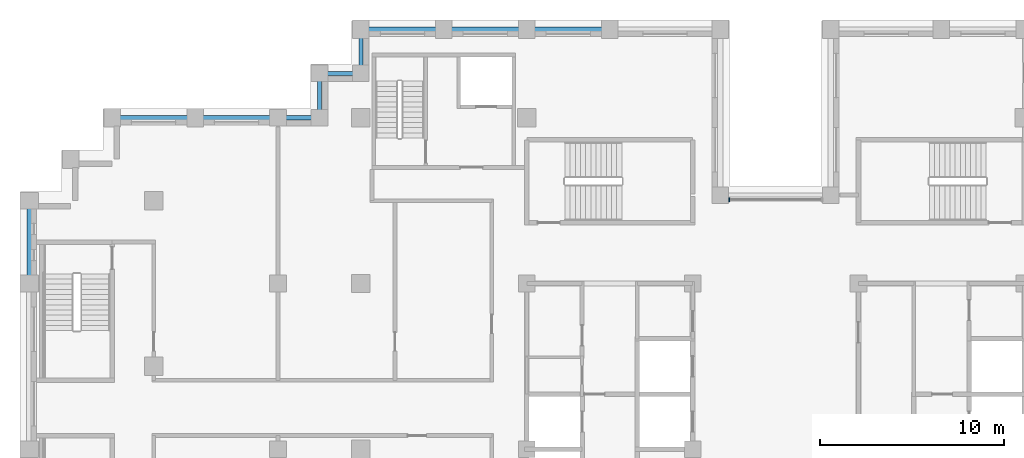
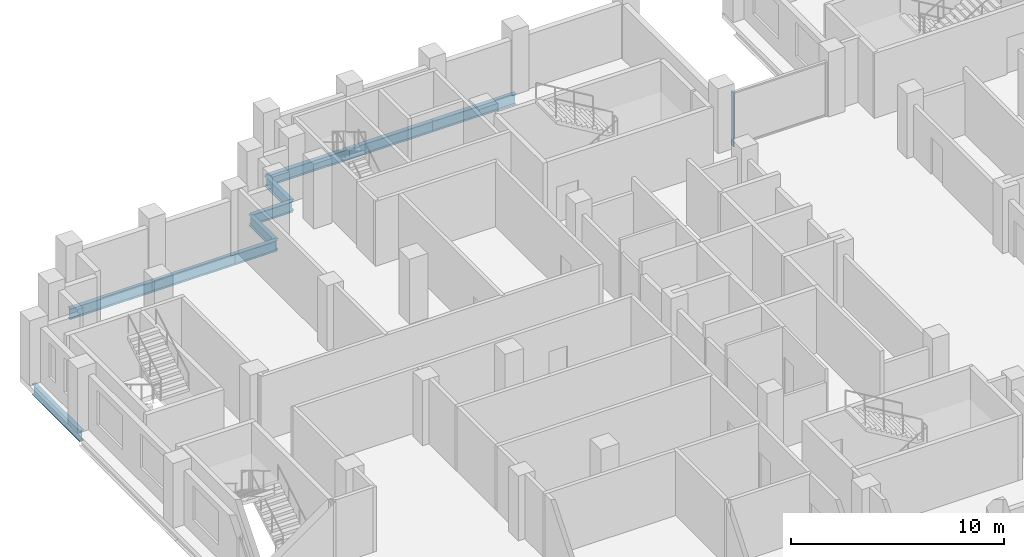
# One storey, part 3 of 15: 10 beams, 1 member, 1 element without a shape of its own.
"""IFC4 building model written with IfcOpenShell, lengths in metres."""

from ifc_helpers import new_model, si_unit, direction, frame, origin, origin_2d, place, context, subcontext, project, spatial, rectangle, i_section, extrude, material, layer, layer_set, material_profile, profile_set, type_object, element, aggregate, save


model = new_model("IFC4")

# Units and contexts
model_context = context("Model", 3, precision=1e-05, world=origin(), true_north=direction((0.0, 1.0)))
body_context = subcontext(model_context, "Body", "Model", "MODEL_VIEW")
ifc_project = project(units=[si_unit("LENGTHUNIT", "METRE"), si_unit("AREAUNIT", "SQUARE_METRE"), si_unit("VOLUMEUNIT", "CUBIC_METRE"), si_unit("PLANEANGLEUNIT", "RADIAN"), si_unit("MASSUNIT", "GRAM", prefix="KILO")], contexts=[model_context])

# Site, building, storey
site_placement = place(None, origin())
site = spatial("IfcSite", under=ifc_project, at=site_placement, CompositionType="ELEMENT")
building_placement = place(site_placement, origin())
building = spatial("IfcBuilding", under=site, at=building_placement, Name="Corbelhall Arena Tower", CompositionType="ELEMENT")
storey_placement = place(building_placement, frame((0.0, 0.0, 208.0)))
storey = spatial("IfcBuildingStorey", under=building, at=storey_placement, Name="L43", CompositionType="ELEMENT", Elevation=208.0)

# Curtain wall, member
ifc_material_1 = material(Name="Aluminium black anodised", Category="aluminium")
ifc_layer = layer(ifc_material_1, 0.199951171875)
ifc_layer_set = layer_set([ifc_layer], Name="EV-CW1 Slot back wall")
curtain_wall_type = type_object("IfcCurtainWallType", Name="EV-CW1 Slot back wall", PredefinedType="NOTDEFINED", material=ifc_layer_set)
curtain_wall_placement = place(storey_placement, origin())
curtain_wall = element("IfcCurtainWall", 1, at=curtain_wall_placement, inside=storey, type_object=curtain_wall_type, Name="Curtain wall CW1", PredefinedType="NOTDEFINED")
ifc_material_profile_1 = material_profile(ifc_material_1, rectangle(XDim=0.199951171875, YDim=0.074951171875, at=origin_2d()))
ifc_profile_set_1 = profile_set([ifc_material_profile_1], Name="Aluminium black anodised")
member_type = type_object("IfcMemberType", Name="EV-CW1-MULLION", PredefinedType="MULLION", material=ifc_profile_set_1)
member_placement = place(storey_placement, frame((-2.512451171875, 13.550048828125, 0.0), z_axis=(0.0, 0.0, 1.0), x_axis=(0.0, -1.0, 0.0)))
member = element("IfcMember", 2, at=member_placement, type_object=member_type, Name="CW1 mullion 2", PredefinedType="MULLION", context=body_context, shape_type="SweptSolid", body=[
    extrude(rectangle(XDim=0.199951171875, YDim=0.074951171875, at=origin_2d()), origin(), (0.0, 0.0, 1.0), 3.1201171875),
])
aggregate(curtain_wall, [member])

# Beams
ifc_material_2 = material(Name="Steel ASTM A992 Gr50", Category="steel")
ifc_material_profile_2 = material_profile(ifc_material_2, i_section(OverallWidth=0.228271484375, OverallDepth=0.607177734375, WebThickness=0.01123046875, FlangeThickness=0.017333984375, at=origin_2d()))
ifc_profile_set_2 = profile_set([ifc_material_profile_2], Name="Steel ASTM A992 Gr50")
beam_type = type_object("IfcBeamType", Name="ST-SPANDREL-W24x76", PredefinedType="SPANDREL", material=ifc_profile_set_2)
for number, where, z_axis, x_axis, name in (
    (3, (-40.5, 9.0, -0.58349609375), (0.0, 1.0, 0.0), (-1.0, 0.0, 0.0), "Beam SP 2"),
    (4, (-31.5, 18.0, -0.58349609375), (1.0, 0.0, 0.0), (0.0, 1.0, 0.0), "Beam SP 5"),
    (5, (-36.0, 18.0, -0.58349609375), (1.0, 0.0, 0.0), (0.0, 1.0, 0.0), "Beam SP 6"),
    (6, (-13.5, 22.800048828125, -0.58349609375), (1.0, 0.0, 0.0), (0.0, 1.0, 0.0), "Beam SP 20"),
    (7, (-18.0, 22.800048828125, -0.58349609375), (1.0, 0.0, 0.0), (0.0, 1.0, 0.0), "Beam SP 21"),
    (8, (-22.5, 22.800048828125, -0.58349609375), (1.0, 0.0, 0.0), (0.0, 1.0, 0.0), "Beam SP 22"),
):
    element("IfcBeam", number, at=place(storey_placement, frame(where, z_axis=z_axis, x_axis=x_axis)), inside=storey, type_object=beam_type, Name=name, PredefinedType="SPANDREL", context=body_context, shape_type="SweptSolid", body=[
        extrude(i_section(OverallWidth=0.228271484375, OverallDepth=0.607177734375, WebThickness=0.01123046875, FlangeThickness=0.017333984375, at=origin_2d()), origin(), (0.0, 0.0, 1.0), 4.5),
    ])
beam_1_placement = place(storey_placement, frame((-27.0, 18.0, -0.58349609375), z_axis=(1.0, 0.0, 0.0), x_axis=(0.0, 1.0, 0.0)))
element("IfcBeam", 9, at=beam_1_placement, inside=storey, type_object=beam_type, Name="Beam SP 33", PredefinedType="SPANDREL", context=body_context, shape_type="SweptSolid", body=[
    extrude(i_section(OverallWidth=0.228271484375, OverallDepth=0.607177734375, WebThickness=0.01123046875, FlangeThickness=0.017333984375, at=origin_2d()), origin(), (0.0, 0.0, 1.0), 2.25),
])
beam_2_placement = place(storey_placement, frame((-22.5, 20.39990234375, -0.58349609375), z_axis=(0.0, 1.0, 0.0), x_axis=(-1.0, 0.0, 0.0)))
element("IfcBeam", 10, at=beam_2_placement, inside=storey, type_object=beam_type, Name="Beam SP 42", PredefinedType="SPANDREL", context=body_context, shape_type="SweptSolid", body=[
    extrude(i_section(OverallWidth=0.228271484375, OverallDepth=0.607177734375, WebThickness=0.01123046875, FlangeThickness=0.017333984375, at=origin_2d()), origin(), (0.0, 0.0, 1.0), 2.400146484375),
])
beam_3_placement = place(storey_placement, frame((-24.75, 20.39990234375, -0.58349609375), z_axis=(1.0, 0.0, 0.0), x_axis=(0.0, 1.0, 0.0)))
element("IfcBeam", 11, at=beam_3_placement, inside=storey, type_object=beam_type, Name="Beam SP 43", PredefinedType="SPANDREL", context=body_context, shape_type="SweptSolid", body=[
    extrude(i_section(OverallWidth=0.228271484375, OverallDepth=0.607177734375, WebThickness=0.01123046875, FlangeThickness=0.017333984375, at=origin_2d()), origin(), (0.0, 0.0, 1.0), 2.25),
])
beam_4_placement = place(storey_placement, frame((-24.75, 18.0, -0.58349609375), z_axis=(0.0, 1.0, 0.0), x_axis=(-1.0, 0.0, 0.0)))
element("IfcBeam", 12, at=beam_4_placement, inside=storey, type_object=beam_type, Name="Beam SP 44", PredefinedType="SPANDREL", context=body_context, shape_type="SweptSolid", body=[
    extrude(i_section(OverallWidth=0.228271484375, OverallDepth=0.607177734375, WebThickness=0.01123046875, FlangeThickness=0.017333984375, at=origin_2d()), origin(), (0.0, 0.0, 1.0), 2.39990234375),
])

save(model, "model.ifc")
